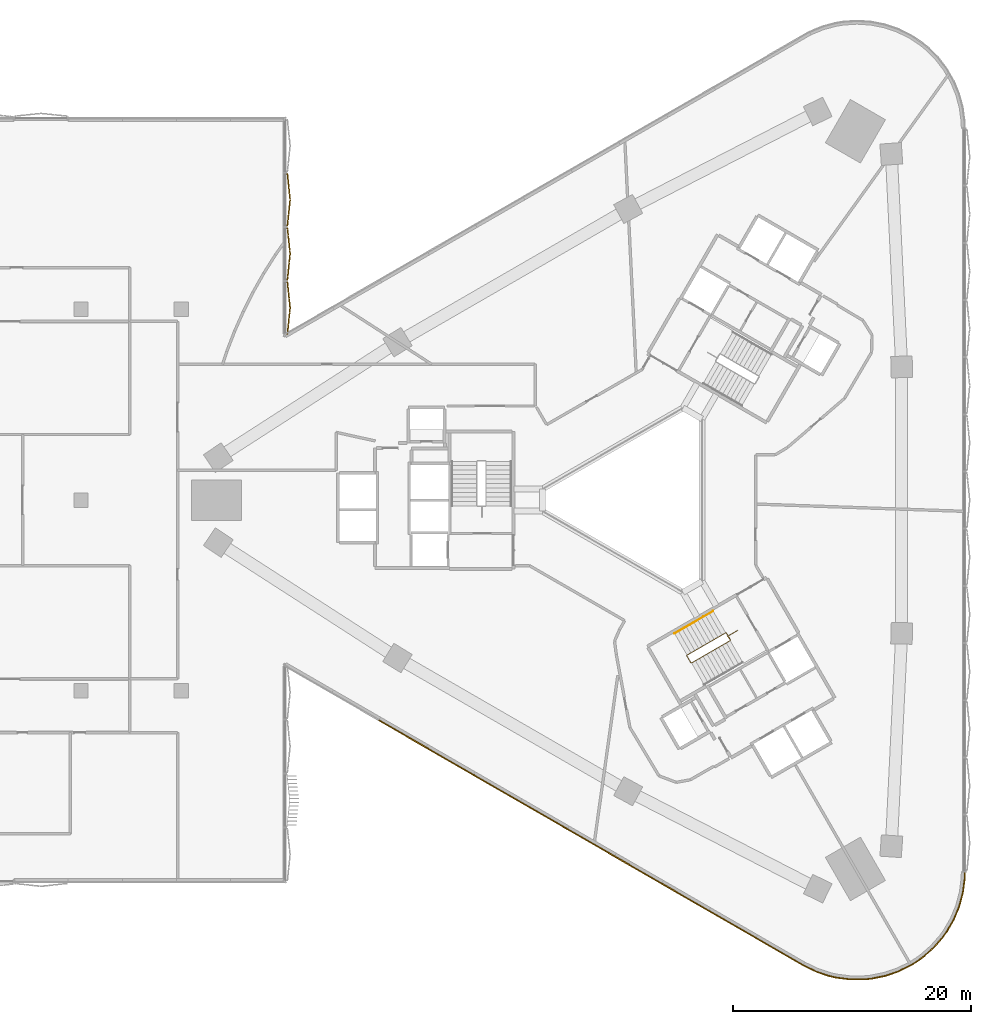
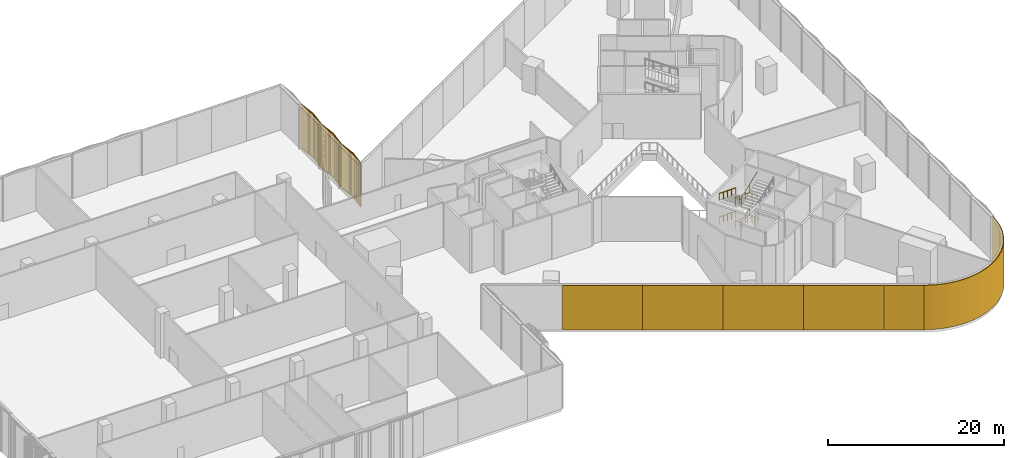
# One storey, part 26 of 32: 9 coverings, 3 railings.
"""IFC4 building model written with IfcOpenShell, lengths in metres."""

from ifc_helpers import new_model, si_unit, direction, frame, frame_2d, origin, origin_2d, place, context, subcontext, project, spatial, polyline, rectangle, circle, outline, extrude, source, transform, mapped, material, layer, layer_set, type_object, element, save


model = new_model("IFC4")

# Units and contexts
model_context = context("Model", 3, precision=1e-05, world=origin(), true_north=direction((0.0, 1.0)))
body_context = subcontext(model_context, "Body", "Model", "MODEL_VIEW")
ifc_project = project(units=[si_unit("LENGTHUNIT", "METRE"), si_unit("AREAUNIT", "SQUARE_METRE"), si_unit("VOLUMEUNIT", "CUBIC_METRE"), si_unit("PLANEANGLEUNIT", "RADIAN"), si_unit("MASSUNIT", "GRAM", prefix="KILO")], contexts=[model_context])

# Site, building, storey
site_placement = place(None, origin())
site = spatial("IfcSite", under=ifc_project, at=site_placement, CompositionType="ELEMENT")
building_placement = place(site_placement, origin())
building = spatial("IfcBuilding", under=site, at=building_placement, Name="Tamra Quay Hotel Tower", CompositionType="ELEMENT")
storey_placement = place(building_placement, frame((0.0, 0.0, 7.5)))
storey = spatial("IfcBuildingStorey", under=building, at=storey_placement, Name="L01", CompositionType="ELEMENT", Elevation=7.5)

# Coverings
ifc_material_1 = material(Name="Precast concrete M60 terracotta-coloured pierced relief", Category="masonry")
ifc_layer = layer(ifc_material_1, 0.10009765625)
ifc_layer_set = layer_set([ifc_layer], Name="PIERCED RELIEF PANEL 100")
covering_type_1 = type_object("IfcCoveringType", Name="PIERCED RELIEF PANEL 100", PredefinedType="CLADDING", material=ifc_layer_set)
for number, where, z_axis, x_axis, name in (
    (1, (-18.161376953125, -20.749267578125, 0.0), (0.0, 0.0, 1.0), (0.866025403784, -0.5, 0.0), "Relief panel L01.SW.02"),
    (2, (-10.252197265625, -25.3154296875, 0.0), (0.0, 0.0, 1.0), (0.866025403784, -0.5, 0.0), "Relief panel L01.SW.04"),
    (3, (-2.34326171875, -29.8818359375, 0.0), (0.0, 0.0, 1.0), (0.866025403784, -0.5, 0.0), "Relief panel L01.SW.06"),
    (4, (5.56591796875, -34.4482421875, 0.0), (0.0, 0.0, 1.0), (0.866025403784, -0.5, 0.0), "Relief panel L01.SW.08"),
):
    element("IfcCovering", number, at=place(storey_placement, frame(where, z_axis=z_axis, x_axis=x_axis)), inside=storey, type_object=covering_type_1, Name=name, PredefinedType="CLADDING", context=body_context, shape_type="SweptSolid", body=[
        extrude(rectangle(XDim=9.112548828125, YDim=0.10009765625, at=origin_2d()), origin(), (0.0, 0.0, 1.0), 6.14990234375),
    ])
covering_1_placement = place(storey_placement, frame((11.497802734375, -37.872802734375, 0.0), z_axis=(0.0, 0.0, 1.0), x_axis=(0.866025403784, -0.5, 0.0)))
element("IfcCovering", 5, at=covering_1_placement, inside=storey, type_object=covering_type_1, Name="Relief panel L01.SW.10", PredefinedType="CLADDING", context=body_context, shape_type="SweptSolid", body=[
    extrude(rectangle(XDim=4.54638671875, YDim=0.10009765625, at=origin_2d()), origin(), (0.0, 0.0, 1.0), 6.14990234375),
])
covering_2_placement = place(storey_placement, origin())
element("IfcCovering", 6, at=covering_2_placement, inside=storey, type_object=covering_type_1, Name="Relief panel L01.c1", PredefinedType="CLADDING", context=body_context, shape_type="SweptSolid", body=[
    extrude(outline(polyline([(13.5, -38.97119140625), (14.555908203125, -39.491943359375), (15.670654296875, -39.870361328125), (16.244140625, -40.00390625), (17.411376953125, -40.15771484375), (18.588623046875, -40.15771484375), (19.1748046875, -40.099853515625), (20.329345703125, -39.870361328125), (21.444091796875, -39.491943359375), (22.5, -38.97119140625), (23.000244140625, -38.66015625), (23.478759765625, -38.317138671875), (24.364013671875, -37.540771484375), (25.14013671875, -36.65576171875), (25.483154296875, -36.177001953125), (26.07177734375, -35.157470703125), (26.5224609375, -34.06982421875), (26.8271484375, -32.9326171875), (26.980712890625, -31.765625), (27.0, -31.177001953125), (27.099853515625, -31.18017578125), (27.080322265625, -31.773681640625), (26.925048828125, -32.9521484375), (26.616943359375, -34.10205078125), (26.16162109375, -35.20166015625), (25.5673828125, -36.231201171875), (25.218505859375, -36.718017578125), (24.4345703125, -37.611572265625), (23.541015625, -38.3955078125), (23.0556640625, -38.743408203125), (22.548583984375, -39.05859375), (21.482421875, -39.584228515625), (20.355224609375, -39.966796875), (19.189453125, -40.19873046875), (18.593505859375, -40.257568359375), (17.40478515625, -40.25732421875), (16.226318359375, -40.102294921875), (15.64306640625, -39.96630859375), (14.517578125, -39.584228515625), (13.455810546875, -39.060791015625), (13.5, -38.97119140625)])), origin(), (0.0, 0.0, 1.0), 6.14990234375),
])

# Railings
ifc_material_2 = material(Name="Stair guard 1100")
railing_type_1 = type_object("IfcRailingType", Name="Stair guard 1100", PredefinedType="GUARDRAIL", material=ifc_material_2)
railing_placement = place(storey_placement, frame((7.995361328125, -10.92822265625, 0.0)))
element("IfcRailing", 7, at=railing_placement, inside=storey, type_object=railing_type_1, Name="GR", PredefinedType="GUARDRAIL", context=body_context, shape_type="SweptSolid", body=[
    extrude(circle(Radius=0.02392578125, at=origin_2d()), frame((0.0, 0.0, 1.076171875), z_axis=(-0.866010750942, -0.50002537861, 0.0), x_axis=(0.50002537861, -0.866010750942, 0.0)), (0.0, 0.0, 1.0), 1.0),
    extrude(circle(Radius=0.02392578125, at=origin_2d()), frame((-0.865966796875, -0.5, 1.076171875), z_axis=(0.648547932179, -0.761173816987, 0.0), x_axis=(0.761173816987, 0.648547932179, 0.0)), (0.0, 0.0, 1.0), 0.3857421875),
    extrude(circle(Radius=0.02392578125, at=origin_2d()), frame((-0.61572265625, -0.793701171875, 1.076171875), z_axis=(-0.499765215335, 0.866160914346, 0.0), x_axis=(-0.866160914346, -0.499765215335, 0.0)), (0.0, 0.0, 1.0), 0.658935546875),
    extrude(circle(Radius=0.02392578125, at=origin_2d()), frame((-0.945068359375, -0.222900390625, 1.076171875), z_axis=(-0.417376168879, 0.111797188093, 0.901830650614), x_axis=(-0.258736085224, -0.965948051503, 0.0)), (0.0, 0.0, 1.0), 0.163818359375),
    extrude(circle(Radius=0.02392578125, at=origin_2d()), frame((-1.013427734375, -0.20458984375, 1.2236328125), z_axis=(-0.805461968019, -0.465051531999, 0.367366425604), x_axis=(0.500014392251, -0.866017094255, 0.0)), (0.0, 0.0, 1.0), 4.021240234375),
    extrude(circle(Radius=0.02392578125, at=origin_2d()), frame((-4.25244140625, -2.07470703125, 2.701171875), z_axis=(-0.259601060869, -0.965715946433, 0.0), x_axis=(0.965715946433, -0.259601060869, 0.0)), (0.0, 0.0, 1.0), 0.070556640625),
    extrude(circle(Radius=0.02392578125, at=origin_2d()), frame((-4.270751953125, -2.142822265625, 2.701171875), z_axis=(0.500043078269, -0.866000531106, 0.0), x_axis=(0.866000531106, 0.500043078269, 0.0)), (0.0, 0.0, 1.0), 0.6591796875),
    extrude(circle(Radius=0.02392578125, at=origin_2d()), frame((-3.941162109375, -2.713623046875, 2.701171875), z_axis=(0.417376168879, -0.111797188093, 0.901830650614), x_axis=(0.258736085224, 0.965948051503, 0.0)), (0.0, 0.0, 1.0), 0.163818359375),
    extrude(circle(Radius=0.02392578125, at=origin_2d()), frame((-3.872802734375, -2.73193359375, 2.8486328125), z_axis=(0.805440642627, 0.465074274274, 0.367384390814), x_axis=(-0.500042659475, 0.866000772924, 0.0)), (0.0, 0.0, 1.0), 4.02099609375),
    extrude(circle(Radius=0.02392578125, at=origin_2d()), frame((-0.634033203125, -0.86181640625, 4.326171875), z_axis=(0.259601060869, 0.965715946433, 0.0), x_axis=(-0.965715946433, 0.259601060869, 0.0)), (0.0, 0.0, 1.0), 0.070556640625),
    extrude(circle(Radius=0.02392578125, at=origin_2d()), frame((-0.61572265625, -0.793701171875, 4.326171875), z_axis=(-0.499765215335, 0.866160914346, 0.0), x_axis=(-0.866160914346, -0.499765215335, 0.0)), (0.0, 0.0, 1.0), 0.658935546875),
    extrude(circle(Radius=0.02392578125, at=origin_2d()), frame((-0.945068359375, -0.222900390625, 4.326171875), z_axis=(-0.417376168879, 0.111797188093, 0.901830650614), x_axis=(-0.258736085224, -0.965948051503, 0.0)), (0.0, 0.0, 1.0), 0.163818359375),
    extrude(circle(Radius=0.02392578125, at=origin_2d()), frame((-1.013427734375, -0.20458984375, 4.4736328125), z_axis=(-0.805461968019, -0.465051531999, 0.367366425604), x_axis=(0.500014392251, -0.866017094255, 0.0)), (0.0, 0.0, 1.0), 4.021240234375),
    extrude(circle(Radius=0.02392578125, at=origin_2d()), frame((-4.25244140625, -2.07470703125, 5.951171875), z_axis=(-0.259601060869, -0.965715946433, 0.0), x_axis=(0.965715946433, -0.259601060869, 0.0)), (0.0, 0.0, 1.0), 0.070556640625),
    extrude(circle(Radius=0.02392578125, at=origin_2d()), frame((-4.270751953125, -2.142822265625, 5.951171875), z_axis=(0.500043078269, -0.866000531106, 0.0), x_axis=(0.866000531106, 0.500043078269, 0.0)), (0.0, 0.0, 1.0), 0.6591796875),
    extrude(circle(Radius=0.02392578125, at=origin_2d()), frame((-3.941162109375, -2.713623046875, 5.951171875), z_axis=(0.417376168879, -0.111797188093, 0.901830650614), x_axis=(0.258736085224, 0.965948051503, 0.0)), (0.0, 0.0, 1.0), 0.163818359375),
    extrude(circle(Radius=0.02392578125, at=origin_2d()), frame((-3.872802734375, -2.73193359375, 6.0986328125), z_axis=(0.805440642627, 0.465074274274, 0.367384390814), x_axis=(-0.500042659475, 0.866000772924, 0.0)), (0.0, 0.0, 1.0), 4.02099609375),
    extrude(circle(Radius=0.02099609375, at=origin_2d()), origin(), (0.0, 0.0, 1.0), 1.052001953125),
    extrude(circle(Radius=0.02099609375, at=origin_2d()), frame((-0.865966796875, -0.5, 0.0)), (0.0, 0.0, 1.0), 1.052001953125),
    extrude(circle(Radius=0.02099609375, at=origin_2d()), frame((-0.61572265625, -0.793701171875, 0.0)), (0.0, 0.0, 1.0), 1.052001953125),
    extrude(circle(Radius=0.02099609375, at=origin_2d()), frame((-0.945068359375, -0.222900390625, 0.0)), (0.0, 0.0, 1.0), 1.052001953125),
    extrude(circle(Radius=0.02099609375, at=origin_2d()), frame((-1.013427734375, -0.20458984375, 0.147705078125)), (0.0, 0.0, 1.0), 1.052001953125),
    extrude(circle(Radius=0.02099609375, at=origin_2d()), frame((-1.8232421875, -0.672119140625, 0.51708984375)), (0.0, 0.0, 1.0), 1.052001953125),
    extrude(circle(Radius=0.02099609375, at=origin_2d()), frame((-2.6328125, -1.1396484375, 0.88623046875)), (0.0, 0.0, 1.0), 1.052001953125),
    extrude(circle(Radius=0.02099609375, at=origin_2d()), frame((-3.442626953125, -1.607177734375, 1.255615234375)), (0.0, 0.0, 1.0), 1.052001953125),
    extrude(circle(Radius=0.02099609375, at=origin_2d()), frame((-4.25244140625, -2.07470703125, 1.625)), (0.0, 0.0, 1.0), 1.052001953125),
    extrude(circle(Radius=0.02099609375, at=origin_2d()), frame((-4.270751953125, -2.142822265625, 1.625)), (0.0, 0.0, 1.0), 1.052001953125),
    extrude(circle(Radius=0.02099609375, at=origin_2d()), frame((-3.941162109375, -2.713623046875, 1.625)), (0.0, 0.0, 1.0), 1.052001953125),
    extrude(circle(Radius=0.02099609375, at=origin_2d()), frame((-3.872802734375, -2.73193359375, 1.772705078125)), (0.0, 0.0, 1.0), 1.052001953125),
    extrude(circle(Radius=0.02099609375, at=origin_2d()), frame((-3.06298828125, -2.264404296875, 2.14208984375)), (0.0, 0.0, 1.0), 1.052001953125),
    extrude(circle(Radius=0.02099609375, at=origin_2d()), frame((-2.25341796875, -1.796875, 2.51123046875)), (0.0, 0.0, 1.0), 1.052001953125),
    extrude(circle(Radius=0.02099609375, at=origin_2d()), frame((-1.44384765625, -1.329345703125, 2.880615234375)), (0.0, 0.0, 1.0), 1.052001953125),
    extrude(circle(Radius=0.02099609375, at=origin_2d()), frame((-0.634033203125, -0.86181640625, 3.25)), (0.0, 0.0, 1.0), 1.052001953125),
    extrude(circle(Radius=0.02099609375, at=origin_2d()), frame((-0.61572265625, -0.793701171875, 3.25)), (0.0, 0.0, 1.0), 1.052001953125),
    extrude(circle(Radius=0.02099609375, at=origin_2d()), frame((-0.945068359375, -0.222900390625, 3.25)), (0.0, 0.0, 1.0), 1.052001953125),
    extrude(circle(Radius=0.02099609375, at=origin_2d()), frame((-1.013427734375, -0.20458984375, 3.397705078125)), (0.0, 0.0, 1.0), 1.052001953125),
    extrude(circle(Radius=0.02099609375, at=origin_2d()), frame((-1.8232421875, -0.672119140625, 3.76708984375)), (0.0, 0.0, 1.0), 1.052001953125),
    extrude(circle(Radius=0.02099609375, at=origin_2d()), frame((-2.6328125, -1.1396484375, 4.13623046875)), (0.0, 0.0, 1.0), 1.052001953125),
    extrude(circle(Radius=0.02099609375, at=origin_2d()), frame((-3.442626953125, -1.607177734375, 4.505615234375)), (0.0, 0.0, 1.0), 1.052001953125),
    extrude(circle(Radius=0.02099609375, at=origin_2d()), frame((-4.25244140625, -2.07470703125, 4.875)), (0.0, 0.0, 1.0), 1.052001953125),
    extrude(circle(Radius=0.02099609375, at=origin_2d()), frame((-4.270751953125, -2.142822265625, 4.875)), (0.0, 0.0, 1.0), 1.052001953125),
    extrude(circle(Radius=0.02099609375, at=origin_2d()), frame((-3.941162109375, -2.713623046875, 4.875)), (0.0, 0.0, 1.0), 1.052001953125),
    extrude(circle(Radius=0.02099609375, at=origin_2d()), frame((-3.872802734375, -2.73193359375, 5.022705078125)), (0.0, 0.0, 1.0), 1.052001953125),
    extrude(circle(Radius=0.02099609375, at=origin_2d()), frame((-3.06298828125, -2.264404296875, 5.39208984375)), (0.0, 0.0, 1.0), 1.052001953125),
    extrude(circle(Radius=0.02099609375, at=origin_2d()), frame((-2.25341796875, -1.796875, 5.76123046875)), (0.0, 0.0, 1.0), 1.052001953125),
    extrude(circle(Radius=0.02099609375, at=origin_2d()), frame((-1.44384765625, -1.329345703125, 6.130615234375)), (0.0, 0.0, 1.0), 1.052001953125),
    extrude(circle(Radius=0.02099609375, at=origin_2d()), frame((-0.634033203125, -0.86181640625, 6.5)), (0.0, 0.0, 1.0), 1.052001953125),
])
ifc_material_3 = material(Name="Stair handrail 900")
railing_type_2 = type_object("IfcRailingType", Name="Stair handrail 900", PredefinedType="HANDRAIL", material=ifc_material_3)
for number, where, name in (
    (8, (5.931884765625, -9.314208984375, 0.147705078125), "HR"),
    (9, (5.931884765625, -9.314208984375, 3.397705078125), "HR"),
):
    element("IfcRailing", number, at=place(storey_placement, frame(where)), inside=storey, type_object=railing_type_2, Name=name, PredefinedType="HANDRAIL", context=body_context, shape_type="SweptSolid", body=[
        extrude(circle(Radius=0.02392578125, at=origin_2d()), frame((0.0, 0.0, 0.8759765625), z_axis=(-0.805484708962, -0.46500394859, 0.367376797613), x_axis=(0.499965433771, -0.866045359686, 0.0)), (0.0, 0.0, 1.0), 4.021240234375),
        extrude(circle(Radius=0.02099609375, at=origin_2d()), origin(), (0.0, 0.0, 1.0), 0.851806640625),
        extrude(circle(Radius=0.02099609375, at=origin_2d()), frame((-0.809814453125, -0.467529296875, 0.369384765625)), (0.0, 0.0, 1.0), 0.851806640625),
        extrude(circle(Radius=0.02099609375, at=origin_2d()), frame((-1.61962890625, -0.93505859375, 0.73876953125)), (0.0, 0.0, 1.0), 0.851806640625),
        extrude(circle(Radius=0.02099609375, at=origin_2d()), frame((-2.42919921875, -1.40234375, 1.10791015625)), (0.0, 0.0, 1.0), 0.851806640625),
        extrude(circle(Radius=0.02099609375, at=origin_2d()), frame((-3.239013671875, -1.869873046875, 1.477294921875)), (0.0, 0.0, 1.0), 0.851806640625),
    ])

# Coverings
ifc_material_4 = material(Name="Terracotta baguette extruded", Category="masonry")
covering_type_2 = type_object("IfcCoveringType", Name="BAGUETTE SCREEN PODIUM-SHALLOW H6150", PredefinedType="USERDEFINED", material=ifc_material_4)
shared_shape = source(origin(), body_context, "Body", "SweptSolid", [
    extrude(rectangle(XDim=2.234619140625, YDim=0.06005859375, at=frame_2d((1.1171875, 0.030029296875))), frame((-2.228759765625, -0.0576171875, -0.1201171875), z_axis=(0.0, 0.0, 1.0), x_axis=(0.994521895368, -0.104528463268, 0.0)), (0.0, 0.0, 1.0), 0.1201171875),
    extrude(rectangle(XDim=2.234619140625, YDim=0.06005859375, at=frame_2d((1.1171875, 0.030029296875))), frame((-2.228759765625, -0.0576171875, -6.14990234375), z_axis=(0.0, 0.0, 1.0), x_axis=(0.994521895368, -0.104528463268, 0.0)), (0.0, 0.0, 1.0), 0.1201171875),
    extrude(rectangle(XDim=0.094970703125, YDim=0.10009765625, at=frame_2d((0.04736328125, 0.050048828125))), frame((-2.219482421875, -0.13330078125, -6.090087890625)), (0.0, 0.0, 1.0), 6.030029296875),
    extrude(rectangle(XDim=0.094970703125, YDim=0.10009765625, at=frame_2d((0.04736328125, 0.050048828125))), frame((-2.118408203125, -0.14404296875, -6.090087890625)), (0.0, 0.0, 1.0), 6.030029296875),
    extrude(rectangle(XDim=0.094970703125, YDim=0.10009765625, at=frame_2d((0.04736328125, 0.050048828125))), frame((-2.017333984375, -0.154541015625, -6.090087890625)), (0.0, 0.0, 1.0), 6.030029296875),
    extrude(rectangle(XDim=0.094970703125, YDim=0.10009765625, at=frame_2d((0.04736328125, 0.050048828125))), frame((-1.91650390625, -0.1650390625, -6.090087890625)), (0.0, 0.0, 1.0), 6.030029296875),
    extrude(rectangle(XDim=0.094970703125, YDim=0.10009765625, at=frame_2d((0.04736328125, 0.050048828125))), frame((-1.8154296875, -0.17578125, -6.090087890625)), (0.0, 0.0, 1.0), 6.030029296875),
    extrude(rectangle(XDim=0.094970703125, YDim=0.10009765625, at=frame_2d((0.04736328125, 0.050048828125))), frame((-1.71435546875, -0.186279296875, -6.090087890625)), (0.0, 0.0, 1.0), 6.030029296875),
    extrude(rectangle(XDim=0.094970703125, YDim=0.10009765625, at=frame_2d((0.04736328125, 0.050048828125))), frame((-1.61328125, -0.197021484375, -6.090087890625)), (0.0, 0.0, 1.0), 6.030029296875),
    extrude(rectangle(XDim=0.094970703125, YDim=0.10009765625, at=frame_2d((0.04736328125, 0.050048828125))), frame((-1.512451171875, -0.20751953125, -6.090087890625)), (0.0, 0.0, 1.0), 6.030029296875),
    extrude(rectangle(XDim=0.094970703125, YDim=0.10009765625, at=frame_2d((0.04736328125, 0.050048828125))), frame((-1.411376953125, -0.21826171875, -6.090087890625)), (0.0, 0.0, 1.0), 6.030029296875),
    extrude(rectangle(XDim=0.094970703125, YDim=0.10009765625, at=frame_2d((0.04736328125, 0.050048828125))), frame((-1.310302734375, -0.228759765625, -6.090087890625)), (0.0, 0.0, 1.0), 6.030029296875),
    extrude(rectangle(XDim=0.094970703125, YDim=0.10009765625, at=frame_2d((0.04736328125, 0.050048828125))), frame((-1.209228515625, -0.239501953125, -6.090087890625)), (0.0, 0.0, 1.0), 6.030029296875),
    extrude(rectangle(XDim=0.094970703125, YDim=0.10009765625, at=frame_2d((0.04736328125, 0.050048828125))), frame((-1.108154296875, -0.25, -6.090087890625)), (0.0, 0.0, 1.0), 6.030029296875),
    extrude(rectangle(XDim=0.094970703125, YDim=0.10009765625, at=frame_2d((0.04736328125, 0.050048828125))), frame((-1.00732421875, -0.2607421875, -6.090087890625)), (0.0, 0.0, 1.0), 6.030029296875),
    extrude(rectangle(XDim=0.094970703125, YDim=0.10009765625, at=frame_2d((0.04736328125, 0.050048828125))), frame((-0.90625, -0.271240234375, -6.090087890625)), (0.0, 0.0, 1.0), 6.030029296875),
    extrude(rectangle(XDim=0.094970703125, YDim=0.10009765625, at=frame_2d((0.04736328125, 0.050048828125))), frame((-0.80517578125, -0.281982421875, -6.090087890625)), (0.0, 0.0, 1.0), 6.030029296875),
    extrude(rectangle(XDim=0.094970703125, YDim=0.10009765625, at=frame_2d((0.04736328125, 0.050048828125))), frame((-0.7041015625, -0.29248046875, -6.090087890625)), (0.0, 0.0, 1.0), 6.030029296875),
    extrude(rectangle(XDim=0.094970703125, YDim=0.10009765625, at=frame_2d((0.04736328125, 0.050048828125))), frame((-0.60302734375, -0.30322265625, -6.090087890625)), (0.0, 0.0, 1.0), 6.030029296875),
    extrude(rectangle(XDim=0.094970703125, YDim=0.10009765625, at=frame_2d((0.04736328125, 0.050048828125))), frame((-0.502197265625, -0.313720703125, -6.090087890625)), (0.0, 0.0, 1.0), 6.030029296875),
    extrude(rectangle(XDim=0.094970703125, YDim=0.10009765625, at=frame_2d((0.04736328125, 0.050048828125))), frame((-0.401123046875, -0.324462890625, -6.090087890625)), (0.0, 0.0, 1.0), 6.030029296875),
    extrude(rectangle(XDim=0.094970703125, YDim=0.10009765625, at=frame_2d((0.04736328125, 0.050048828125))), frame((-0.300048828125, -0.3349609375, -6.090087890625)), (0.0, 0.0, 1.0), 6.030029296875),
    extrude(rectangle(XDim=0.094970703125, YDim=0.10009765625, at=frame_2d((0.04736328125, 0.050048828125))), frame((-0.198974609375, -0.345703125, -6.090087890625)), (0.0, 0.0, 1.0), 6.030029296875),
    extrude(rectangle(XDim=0.094970703125, YDim=0.10009765625, at=frame_2d((0.04736328125, 0.050048828125))), frame((-0.097900390625, -0.356201171875, -6.090087890625)), (0.0, 0.0, 1.0), 6.030029296875),
    extrude(rectangle(XDim=2.234619140625, YDim=0.06005859375, at=frame_2d((1.1171875, 0.030029296875))), frame((0.00634765625, -0.291259765625, -0.1201171875), z_axis=(0.0, 0.0, 1.0), x_axis=(0.994521895368, 0.104528463268, 0.0)), (0.0, 0.0, 1.0), 0.1201171875),
    extrude(rectangle(XDim=2.234619140625, YDim=0.06005859375, at=frame_2d((1.1171875, 0.030029296875))), frame((0.00634765625, -0.291259765625, -6.14990234375), z_axis=(0.0, 0.0, 1.0), x_axis=(0.994521895368, 0.104528463268, 0.0)), (0.0, 0.0, 1.0), 0.1201171875),
    extrude(rectangle(XDim=0.094970703125, YDim=0.10009765625, at=frame_2d((0.04736328125, 0.050048828125))), frame((0.0029296875, -0.356201171875, -6.090087890625)), (0.0, 0.0, 1.0), 6.030029296875),
    extrude(rectangle(XDim=0.094970703125, YDim=0.10009765625, at=frame_2d((0.04736328125, 0.050048828125))), frame((0.10400390625, -0.345703125, -6.090087890625)), (0.0, 0.0, 1.0), 6.030029296875),
    extrude(rectangle(XDim=0.094970703125, YDim=0.10009765625, at=frame_2d((0.04736328125, 0.050048828125))), frame((0.205078125, -0.3349609375, -6.090087890625)), (0.0, 0.0, 1.0), 6.030029296875),
    extrude(rectangle(XDim=0.094970703125, YDim=0.10009765625, at=frame_2d((0.04736328125, 0.050048828125))), frame((0.30615234375, -0.324462890625, -6.090087890625)), (0.0, 0.0, 1.0), 6.030029296875),
    extrude(rectangle(XDim=0.094970703125, YDim=0.10009765625, at=frame_2d((0.04736328125, 0.050048828125))), frame((0.406982421875, -0.313720703125, -6.090087890625)), (0.0, 0.0, 1.0), 6.030029296875),
    extrude(rectangle(XDim=0.094970703125, YDim=0.10009765625, at=frame_2d((0.04736328125, 0.050048828125))), frame((0.508056640625, -0.30322265625, -6.090087890625)), (0.0, 0.0, 1.0), 6.030029296875),
    extrude(rectangle(XDim=0.094970703125, YDim=0.10009765625, at=frame_2d((0.04736328125, 0.050048828125))), frame((0.609130859375, -0.29248046875, -6.090087890625)), (0.0, 0.0, 1.0), 6.030029296875),
    extrude(rectangle(XDim=0.094970703125, YDim=0.10009765625, at=frame_2d((0.04736328125, 0.050048828125))), frame((0.710205078125, -0.281982421875, -6.090087890625)), (0.0, 0.0, 1.0), 6.030029296875),
    extrude(rectangle(XDim=0.094970703125, YDim=0.10009765625, at=frame_2d((0.04736328125, 0.050048828125))), frame((0.811279296875, -0.271240234375, -6.090087890625)), (0.0, 0.0, 1.0), 6.030029296875),
    extrude(rectangle(XDim=0.094970703125, YDim=0.10009765625, at=frame_2d((0.04736328125, 0.050048828125))), frame((0.912109375, -0.2607421875, -6.090087890625)), (0.0, 0.0, 1.0), 6.030029296875),
    extrude(rectangle(XDim=0.094970703125, YDim=0.10009765625, at=frame_2d((0.04736328125, 0.050048828125))), frame((1.01318359375, -0.25, -6.090087890625)), (0.0, 0.0, 1.0), 6.030029296875),
    extrude(rectangle(XDim=0.094970703125, YDim=0.10009765625, at=frame_2d((0.04736328125, 0.050048828125))), frame((1.1142578125, -0.239501953125, -6.090087890625)), (0.0, 0.0, 1.0), 6.030029296875),
    extrude(rectangle(XDim=0.094970703125, YDim=0.10009765625, at=frame_2d((0.04736328125, 0.050048828125))), frame((1.21533203125, -0.228759765625, -6.090087890625)), (0.0, 0.0, 1.0), 6.030029296875),
    extrude(rectangle(XDim=0.094970703125, YDim=0.10009765625, at=frame_2d((0.04736328125, 0.050048828125))), frame((1.31640625, -0.21826171875, -6.090087890625)), (0.0, 0.0, 1.0), 6.030029296875),
    extrude(rectangle(XDim=0.094970703125, YDim=0.10009765625, at=frame_2d((0.04736328125, 0.050048828125))), frame((1.417236328125, -0.20751953125, -6.090087890625)), (0.0, 0.0, 1.0), 6.030029296875),
    extrude(rectangle(XDim=0.094970703125, YDim=0.10009765625, at=frame_2d((0.04736328125, 0.050048828125))), frame((1.518310546875, -0.197021484375, -6.090087890625)), (0.0, 0.0, 1.0), 6.030029296875),
    extrude(rectangle(XDim=0.094970703125, YDim=0.10009765625, at=frame_2d((0.04736328125, 0.050048828125))), frame((1.619384765625, -0.186279296875, -6.090087890625)), (0.0, 0.0, 1.0), 6.030029296875),
    extrude(rectangle(XDim=0.094970703125, YDim=0.10009765625, at=frame_2d((0.04736328125, 0.050048828125))), frame((1.720458984375, -0.17578125, -6.090087890625)), (0.0, 0.0, 1.0), 6.030029296875),
    extrude(rectangle(XDim=0.094970703125, YDim=0.10009765625, at=frame_2d((0.04736328125, 0.050048828125))), frame((1.821533203125, -0.1650390625, -6.090087890625)), (0.0, 0.0, 1.0), 6.030029296875),
    extrude(rectangle(XDim=0.094970703125, YDim=0.10009765625, at=frame_2d((0.04736328125, 0.050048828125))), frame((1.92236328125, -0.154541015625, -6.090087890625)), (0.0, 0.0, 1.0), 6.030029296875),
    extrude(rectangle(XDim=0.094970703125, YDim=0.10009765625, at=frame_2d((0.04736328125, 0.050048828125))), frame((2.0234375, -0.14404296875, -6.090087890625)), (0.0, 0.0, 1.0), 6.030029296875),
    extrude(rectangle(XDim=0.094970703125, YDim=0.10009765625, at=frame_2d((0.04736328125, 0.050048828125))), frame((2.12451171875, -0.13330078125, -6.090087890625)), (0.0, 0.0, 1.0), 6.030029296875),
])
for number, where, z_axis, x_axis, name in (
    (10, (-29.85205078125, 16.124267578125, 6.14990234375), (0.0, 0.0, 1.0), (0.0, 1.0, 0.0), "Baguette screen L01.E.f17"),
    (11, (-29.85205078125, 20.66015625, 6.14990234375), (0.0, 0.0, 1.0), (0.0, 1.0, 0.0), "Baguette screen L01.E.f18"),
    (12, (-29.85205078125, 25.196044921875, 6.14990234375), (0.0, 0.0, 1.0), (0.0, 1.0, 0.0), "Baguette screen L01.E.f19"),
):
    element("IfcCovering", number, at=place(storey_placement, frame(where, z_axis=z_axis, x_axis=x_axis)), inside=storey, type_object=covering_type_2, Name=name, ObjectType="BAGUETTE SCREEN", PredefinedType="USERDEFINED", context=body_context, shape_type="MappedRepresentation", body=[
        mapped(shared_shape, transform((0.0, 0.0, 0.0), scale=1.0)),
    ])

save(model, "model.ifc")
